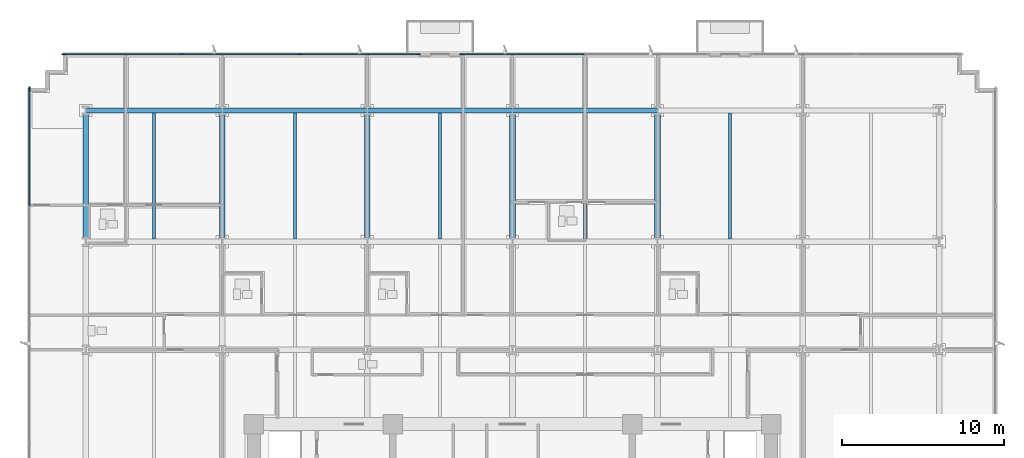
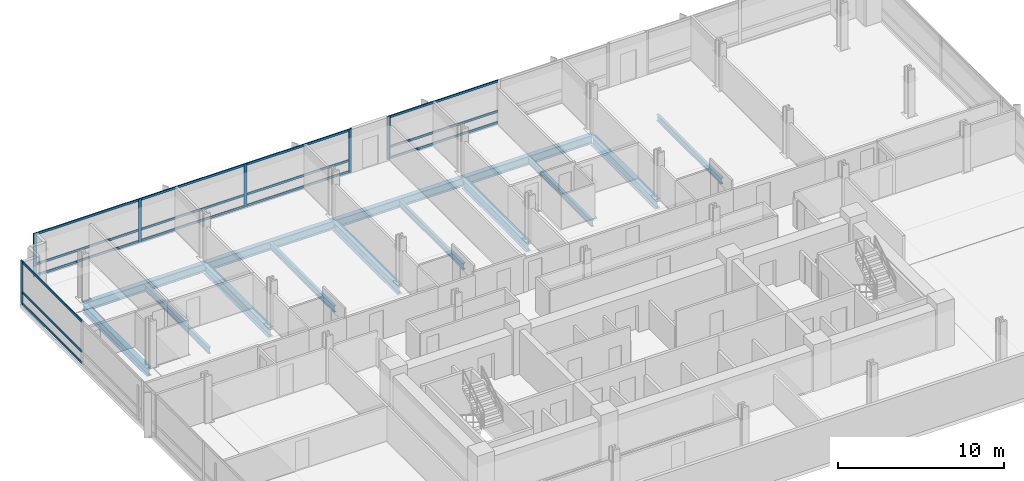
# One storey, part 5 of 15: 21 members, 14 beams, 3 elements without a shape of their own.
"""IFC4 building model written with IfcOpenShell, lengths in metres."""

from ifc_helpers import new_model, si_unit, direction, frame, origin, origin_2d, place, context, subcontext, project, spatial, rectangle, i_section, extrude, material, material_profile, profile_set, type_object, element, aggregate, save


model = new_model("IFC4")

# Units and contexts
model_context = context("Model", 3, precision=1e-05, world=origin(), true_north=direction((0.0, 1.0)))
body_context = subcontext(model_context, "Body", "Model", "MODEL_VIEW")
ifc_project = project(units=[si_unit("LENGTHUNIT", "METRE"), si_unit("AREAUNIT", "SQUARE_METRE"), si_unit("VOLUMEUNIT", "CUBIC_METRE"), si_unit("PLANEANGLEUNIT", "RADIAN"), si_unit("MASSUNIT", "GRAM", prefix="KILO")], contexts=[model_context])

# Site, building, storey
site_placement = place(None, origin())
site = spatial("IfcSite", under=ifc_project, at=site_placement, CompositionType="ELEMENT")
building_placement = place(site_placement, origin())
building = spatial("IfcBuilding", under=site, at=building_placement, Name="Solmavex Isthmus Hotel", CompositionType="ELEMENT")
storey_placement = place(building_placement, frame((0.0, 0.0, 33.300048828125)))
storey = spatial("IfcBuildingStorey", under=building, at=storey_placement, Name="L08", CompositionType="ELEMENT", Elevation=33.300048828125)

# Beams
ifc_material_1 = material(Name="Steel ASTM A992 Grade 50", Category="steel")
ifc_material_profile_1 = material_profile(ifc_material_1, i_section(OverallWidth=0.354736328125, OverallDepth=0.695556640625, WebThickness=0.015380859375, FlangeThickness=0.02490234375, FilletRadius=0.017822265625, at=origin_2d()), Name="W27X146")
ifc_profile_set_1 = profile_set([ifc_material_profile_1], Name="Steel ASTM A992 Grade 50")
beam_type_1 = type_object("IfcBeamType", Name="BM-BG-W27X146", PredefinedType="BEAM", material=ifc_profile_set_1)
for number, where, z_axis, x_axis, name in (
    (1, (-17.951904296875, 8.96533203125, -0.60791015625), (0.0, 1.0, 0.0), (-1.0, 0.0, 0.0), "Floor Beam L08-VG30"),
    (2, (-8.97607421875, 8.96533203125, -0.60791015625), (0.0, 1.0, 0.0), (-1.0, 0.0, 0.0), "Floor Beam L08-VG34"),
    (3, (0.0, 8.96533203125, -0.60791015625), (0.0, 1.0, 0.0), (-1.0, 0.0, 0.0), "Floor Beam L08-VG38"),
    (4, (8.97607421875, 8.96533203125, -0.60791015625), (0.0, 1.0, 0.0), (-1.0, 0.0, 0.0), "Floor Beam L08-VG42"),
):
    element("IfcBeam", number, at=place(storey_placement, frame(where, z_axis=z_axis, x_axis=x_axis)), inside=storey, type_object=beam_type_1, Name=name, PredefinedType="BEAM", context=body_context, shape_type="SweptSolid", body=[
        extrude(i_section(OverallWidth=0.354736328125, OverallDepth=0.695556640625, WebThickness=0.015380859375, FlangeThickness=0.02490234375, FilletRadius=0.017822265625, at=origin_2d()), origin(), (0.0, 0.0, 1.0), 7.771484375),
    ])
ifc_material_profile_2 = material_profile(ifc_material_1, i_section(OverallWidth=0.1904296875, OverallDepth=0.456787109375, WebThickness=0.009033203125, FlangeThickness=0.014404296875, FilletRadius=0.0126953125, at=origin_2d()), Name="W18X50")
ifc_profile_set_2 = profile_set([ifc_material_profile_2], Name="Steel ASTM A992 Grade 50")
beam_type_2 = type_object("IfcBeamType", Name="BM-BJ-W18X50", PredefinedType="JOIST", material=ifc_profile_set_2)
for number, where, z_axis, x_axis, name in (
    (5, (-22.176025390625, 8.96533203125, -0.488525390625), (0.0, 1.0, 0.0), (-1.0, 0.0, 0.0), "Secondary Floor Joist L08-J03"),
    (6, (-13.464111328125, 8.96533203125, -0.488525390625), (0.0, 1.0, 0.0), (-1.0, 0.0, 0.0), "Secondary Floor Joist L08-J07"),
    (7, (-4.488037109375, 8.96533203125, -0.488525390625), (0.0, 1.0, 0.0), (-1.0, 0.0, 0.0), "Secondary Floor Joist L08-J11"),
    (8, (4.488037109375, 8.96533203125, -0.488525390625), (0.0, 1.0, 0.0), (-1.0, 0.0, 0.0), "Secondary Floor Joist L08-J15"),
    (9, (13.464111328125, 8.96533203125, -0.488525390625), (0.0, 1.0, 0.0), (-1.0, 0.0, 0.0), "Secondary Floor Joist L08-J19"),
):
    element("IfcBeam", number, at=place(storey_placement, frame(where, z_axis=z_axis, x_axis=x_axis)), inside=storey, type_object=beam_type_2, Name=name, PredefinedType="JOIST", context=body_context, shape_type="SweptSolid", body=[
        extrude(i_section(OverallWidth=0.1904296875, OverallDepth=0.456787109375, WebThickness=0.009033203125, FlangeThickness=0.014404296875, FilletRadius=0.0126953125, at=origin_2d()), origin(), (0.0, 0.0, 1.0), 7.771484375),
    ])
ifc_material_profile_3 = material_profile(ifc_material_1, i_section(OverallWidth=0.326416015625, OverallDepth=0.621826171875, WebThickness=0.015380859375, FlangeThickness=0.0244140625, FilletRadius=0.01513671875, at=origin_2d()), Name="W24X131")
ifc_profile_set_3 = profile_set([ifc_material_profile_3], Name="Steel ASTM A992 Grade 50")
beam_type_3 = type_object("IfcBeamType", Name="BM-SP-W24X131", PredefinedType="SPANDREL", material=ifc_profile_set_3)
beam_1_placement = place(storey_placement, frame((-26.39990234375, 16.89990234375, -0.571044921875), z_axis=(1.0, 0.0, 0.0), x_axis=(0.0, 1.0, 0.0)))
element("IfcBeam", 10, at=beam_1_placement, inside=storey, type_object=beam_type_3, Name="Floor Girder L08-UG19", PredefinedType="SPANDREL", context=body_context, shape_type="SweptSolid", body=[
    extrude(i_section(OverallWidth=0.326416015625, OverallDepth=0.621826171875, WebThickness=0.015380859375, FlangeThickness=0.0244140625, FilletRadius=0.01513671875, at=origin_2d()), origin(), (0.0, 0.0, 1.0), 8.447998046875),
])
beam_2_placement = place(storey_placement, frame((-17.951904296875, 16.89990234375, -0.571044921875), z_axis=(1.0, 0.0, 0.0), x_axis=(0.0, 1.0, 0.0)))
element("IfcBeam", 11, at=beam_2_placement, inside=storey, type_object=beam_type_3, Name="Floor Girder L08-UG20", PredefinedType="SPANDREL", context=body_context, shape_type="SweptSolid", body=[
    extrude(i_section(OverallWidth=0.326416015625, OverallDepth=0.621826171875, WebThickness=0.015380859375, FlangeThickness=0.0244140625, FilletRadius=0.01513671875, at=origin_2d()), origin(), (0.0, 0.0, 1.0), 8.975830078125),
])
for number, where, z_axis, x_axis, name in (
    (12, (-8.97607421875, 16.89990234375, -0.571044921875), (1.0, 0.0, 0.0), (0.0, 1.0, 0.0), "Floor Girder L08-UG21"),
    (13, (0.0, 16.89990234375, -0.571044921875), (1.0, 0.0, 0.0), (0.0, 1.0, 0.0), "Floor Girder L08-UG22"),
):
    element("IfcBeam", number, at=place(storey_placement, frame(where, z_axis=z_axis, x_axis=x_axis)), inside=storey, type_object=beam_type_3, Name=name, PredefinedType="SPANDREL", context=body_context, shape_type="SweptSolid", body=[
        extrude(i_section(OverallWidth=0.326416015625, OverallDepth=0.621826171875, WebThickness=0.015380859375, FlangeThickness=0.0244140625, FilletRadius=0.01513671875, at=origin_2d()), origin(), (0.0, 0.0, 1.0), 8.97607421875),
    ])
beam_3_placement = place(storey_placement, frame((-26.39990234375, 8.96533203125, -0.571044921875), z_axis=(0.0, 1.0, 0.0), x_axis=(-1.0, 0.0, 0.0)))
element("IfcBeam", 14, at=beam_3_placement, inside=storey, type_object=beam_type_3, Name="Floor Beam L08-VG27", PredefinedType="SPANDREL", context=body_context, shape_type="SweptSolid", body=[
    extrude(i_section(OverallWidth=0.326416015625, OverallDepth=0.621826171875, WebThickness=0.015380859375, FlangeThickness=0.0244140625, FilletRadius=0.01513671875, at=origin_2d()), origin(), (0.0, 0.0, 1.0), 7.771484375),
])

# Curtain wall, members
ifc_material_2 = material(Name="Aluminium alloy 6063-T6", Category="aluminium")
curtain_wall_type = type_object("IfcCurtainWallType", Name="CW-SYS-02", PredefinedType="NOTDEFINED", material=ifc_material_2)
curtain_wall_1_placement = place(storey_placement, origin())
curtain_wall_1 = element("IfcCurtainWall", 15, at=curtain_wall_1_placement, inside=storey, type_object=curtain_wall_type, Name="Stick Curtain Wall CWL-L08-N1", PredefinedType="NOTDEFINED")
ifc_material_profile_4 = material_profile(ifc_material_2, rectangle(XDim=0.074951171875, YDim=0.219970703125, at=origin_2d()), Name="CWM-75X220")
ifc_profile_set_4 = profile_set([ifc_material_profile_4], Name="Aluminium alloy 6063-T6")
member_type_1 = type_object("IfcMemberType", Name="CW-SYS-02-MUL", PredefinedType="MULLION", material=ifc_profile_set_4)
member_1_placement = place(storey_placement, frame((-27.762451171875, 20.3798828125, 0.0), z_axis=(0.0, 0.0, 1.0), x_axis=(0.0, 1.0, 0.0)))
member_1 = element("IfcMember", 16, at=member_1_placement, type_object=member_type_1, Name="CW-02 mullion 1", PredefinedType="MULLION", context=body_context, shape_type="SweptSolid", body=[
    extrude(rectangle(XDim=0.074951171875, YDim=0.219970703125, at=origin_2d()), origin(), (0.0, 0.0, 1.0), 3.18994140625),
])
member_2_placement = place(storey_placement, frame((-20.462646484375, 20.3798828125, 0.0), z_axis=(0.0, 0.0, 1.0), x_axis=(0.0, 1.0, 0.0)))
member_2 = element("IfcMember", 17, at=member_2_placement, type_object=member_type_1, Name="CW-02 mullion 2", PredefinedType="MULLION", context=body_context, shape_type="SweptSolid", body=[
    extrude(rectangle(XDim=0.074951171875, YDim=0.219970703125, at=origin_2d()), origin(), (0.0, 0.0, 1.0), 3.18994140625),
])
member_3_placement = place(storey_placement, frame((-13.125244140625, 20.3798828125, 0.0), z_axis=(0.0, 0.0, 1.0), x_axis=(0.0, 1.0, 0.0)))
member_3 = element("IfcMember", 18, at=member_3_placement, type_object=member_type_1, Name="CW-02 mullion 3", PredefinedType="MULLION", context=body_context, shape_type="SweptSolid", body=[
    extrude(rectangle(XDim=0.074951171875, YDim=0.219970703125, at=origin_2d()), origin(), (0.0, 0.0, 1.0), 3.18994140625),
])
member_4_placement = place(storey_placement, frame((-5.825439453125, 20.3798828125, 0.0), z_axis=(0.0, 0.0, 1.0), x_axis=(0.0, 1.0, 0.0)))
member_4 = element("IfcMember", 19, at=member_4_placement, type_object=member_type_1, Name="CW-02 mullion 4", PredefinedType="MULLION", context=body_context, shape_type="SweptSolid", body=[
    extrude(rectangle(XDim=0.074951171875, YDim=0.219970703125, at=origin_2d()), origin(), (0.0, 0.0, 1.0), 3.18994140625),
])

# Curtain wall, member
curtain_wall_2_placement = place(storey_placement, origin())
curtain_wall_2 = element("IfcCurtainWall", 20, at=curtain_wall_2_placement, inside=storey, type_object=curtain_wall_type, Name="Stick Curtain Wall CWL-L08-N2", PredefinedType="NOTDEFINED")
member_5_placement = place(storey_placement, frame((-3.150390625, 20.3798828125, 0.0), z_axis=(0.0, 0.0, 1.0), x_axis=(0.0, 1.0, 0.0)))
member_5 = element("IfcMember", 21, at=member_5_placement, type_object=member_type_1, Name="CW-02 mullion 1", PredefinedType="MULLION", context=body_context, shape_type="SweptSolid", body=[
    extrude(rectangle(XDim=0.074951171875, YDim=0.219970703125, at=origin_2d()), origin(), (0.0, 0.0, 1.0), 3.18994140625),
])

curtain_wall_3_placement = place(storey_placement, origin())
curtain_wall_3 = element("IfcCurtainWall", 22, at=curtain_wall_3_placement, inside=storey, type_object=curtain_wall_type, Name="Stick Curtain Wall CWL-L08-W1", PredefinedType="NOTDEFINED")
member_6_placement = place(storey_placement, frame((-29.8798828125, 18.262451171875, 0.0), z_axis=(0.0, 0.0, 1.0), x_axis=(-1.0, 0.0, 0.0)))
member_6 = element("IfcMember", 23, at=member_6_placement, type_object=member_type_1, Name="CW-02 mullion 6", PredefinedType="MULLION", context=body_context, shape_type="SweptSolid", body=[
    extrude(rectangle(XDim=0.074951171875, YDim=0.219970703125, at=origin_2d()), origin(), (0.0, 0.0, 1.0), 3.18994140625),
])

# Member
ifc_material_profile_5 = material_profile(ifc_material_2, rectangle(XDim=0.074951171875, YDim=0.159912109375, at=origin_2d()), Name="CWT-75X160")
ifc_profile_set_5 = profile_set([ifc_material_profile_5], Name="Aluminium alloy 6063-T6")
member_type_2 = type_object("IfcMemberType", Name="CW-SYS-02-TRN", PredefinedType="USERDEFINED", material=ifc_profile_set_5)
member_7_placement = place(storey_placement, frame((-27.72509765625, 20.3798828125, 0.079833984375), z_axis=(1.0, 0.0, 0.0), x_axis=(0.0, 1.0, 0.0)))
member_7 = element("IfcMember", 24, at=member_7_placement, type_object=member_type_2, Name="CW-02 transom 1.1", ObjectType="TRANSOM", PredefinedType="USERDEFINED", context=body_context, shape_type="SweptSolid", body=[
    extrude(rectangle(XDim=0.074951171875, YDim=0.159912109375, at=origin_2d()), origin(), (0.0, 0.0, 1.0), 7.224853515625),
])

member_8_placement = place(storey_placement, frame((-27.72509765625, 20.3798828125, 0.89990234375), z_axis=(1.0, 0.0, 0.0), x_axis=(0.0, 1.0, 0.0)))
member_8 = element("IfcMember", 25, at=member_8_placement, type_object=member_type_2, Name="CW-02 transom 1.2", ObjectType="TRANSOM", PredefinedType="USERDEFINED", context=body_context, shape_type="SweptSolid", body=[
    extrude(rectangle(XDim=0.074951171875, YDim=0.159912109375, at=origin_2d()), origin(), (0.0, 0.0, 1.0), 7.224853515625),
])

member_9_placement = place(storey_placement, frame((-27.72509765625, 20.3798828125, 3.10986328125), z_axis=(1.0, 0.0, 0.0), x_axis=(0.0, 1.0, 0.0)))
member_9 = element("IfcMember", 26, at=member_9_placement, type_object=member_type_2, Name="CW-02 transom 1.3", ObjectType="TRANSOM", PredefinedType="USERDEFINED", context=body_context, shape_type="SweptSolid", body=[
    extrude(rectangle(XDim=0.074951171875, YDim=0.159912109375, at=origin_2d()), origin(), (0.0, 0.0, 1.0), 7.224853515625),
])

member_10_placement = place(storey_placement, frame((-20.425048828125, 20.3798828125, 0.079833984375), z_axis=(1.0, 0.0, 0.0), x_axis=(0.0, 1.0, 0.0)))
member_10 = element("IfcMember", 27, at=member_10_placement, type_object=member_type_2, Name="CW-02 transom 2.1", ObjectType="TRANSOM", PredefinedType="USERDEFINED", context=body_context, shape_type="SweptSolid", body=[
    extrude(rectangle(XDim=0.074951171875, YDim=0.159912109375, at=origin_2d()), origin(), (0.0, 0.0, 1.0), 7.26220703125),
])

member_11_placement = place(storey_placement, frame((-20.425048828125, 20.3798828125, 0.89990234375), z_axis=(1.0, 0.0, 0.0), x_axis=(0.0, 1.0, 0.0)))
member_11 = element("IfcMember", 28, at=member_11_placement, type_object=member_type_2, Name="CW-02 transom 2.2", ObjectType="TRANSOM", PredefinedType="USERDEFINED", context=body_context, shape_type="SweptSolid", body=[
    extrude(rectangle(XDim=0.074951171875, YDim=0.159912109375, at=origin_2d()), origin(), (0.0, 0.0, 1.0), 7.26220703125),
])

member_12_placement = place(storey_placement, frame((-20.425048828125, 20.3798828125, 3.10986328125), z_axis=(1.0, 0.0, 0.0), x_axis=(0.0, 1.0, 0.0)))
member_12 = element("IfcMember", 29, at=member_12_placement, type_object=member_type_2, Name="CW-02 transom 2.3", ObjectType="TRANSOM", PredefinedType="USERDEFINED", context=body_context, shape_type="SweptSolid", body=[
    extrude(rectangle(XDim=0.074951171875, YDim=0.159912109375, at=origin_2d()), origin(), (0.0, 0.0, 1.0), 7.26220703125),
])

member_13_placement = place(storey_placement, frame((-13.087890625, 20.3798828125, 0.079833984375), z_axis=(1.0, 0.0, 0.0), x_axis=(0.0, 1.0, 0.0)))
member_13 = element("IfcMember", 30, at=member_13_placement, type_object=member_type_2, Name="CW-02 transom 3.1", ObjectType="TRANSOM", PredefinedType="USERDEFINED", context=body_context, shape_type="SweptSolid", body=[
    extrude(rectangle(XDim=0.074951171875, YDim=0.159912109375, at=origin_2d()), origin(), (0.0, 0.0, 1.0), 7.224853515625),
])

member_14_placement = place(storey_placement, frame((-13.087890625, 20.3798828125, 0.89990234375), z_axis=(1.0, 0.0, 0.0), x_axis=(0.0, 1.0, 0.0)))
member_14 = element("IfcMember", 31, at=member_14_placement, type_object=member_type_2, Name="CW-02 transom 3.2", ObjectType="TRANSOM", PredefinedType="USERDEFINED", context=body_context, shape_type="SweptSolid", body=[
    extrude(rectangle(XDim=0.074951171875, YDim=0.159912109375, at=origin_2d()), origin(), (0.0, 0.0, 1.0), 7.224853515625),
])

member_15_placement = place(storey_placement, frame((-13.087890625, 20.3798828125, 3.10986328125), z_axis=(1.0, 0.0, 0.0), x_axis=(0.0, 1.0, 0.0)))
member_15 = element("IfcMember", 32, at=member_15_placement, type_object=member_type_2, Name="CW-02 transom 3.3", ObjectType="TRANSOM", PredefinedType="USERDEFINED", context=body_context, shape_type="SweptSolid", body=[
    extrude(rectangle(XDim=0.074951171875, YDim=0.159912109375, at=origin_2d()), origin(), (0.0, 0.0, 1.0), 7.224853515625),
])

aggregate(curtain_wall_1, [member_1, member_2, member_3, member_4, member_7, member_8, member_9, member_10, member_11, member_12, member_13, member_14, member_15])

member_16_placement = place(storey_placement, frame((-3.113037109375, 20.3798828125, 0.079833984375), z_axis=(1.0, 0.0, 0.0), x_axis=(0.0, 1.0, 0.0)))
member_16 = element("IfcMember", 33, at=member_16_placement, type_object=member_type_2, Name="CW-02 transom 1.1", ObjectType="TRANSOM", PredefinedType="USERDEFINED", context=body_context, shape_type="SweptSolid", body=[
    extrude(rectangle(XDim=0.074951171875, YDim=0.159912109375, at=origin_2d()), origin(), (0.0, 0.0, 1.0), 7.5634765625),
])

member_17_placement = place(storey_placement, frame((-3.113037109375, 20.3798828125, 0.89990234375), z_axis=(1.0, 0.0, 0.0), x_axis=(0.0, 1.0, 0.0)))
member_17 = element("IfcMember", 34, at=member_17_placement, type_object=member_type_2, Name="CW-02 transom 1.2", ObjectType="TRANSOM", PredefinedType="USERDEFINED", context=body_context, shape_type="SweptSolid", body=[
    extrude(rectangle(XDim=0.074951171875, YDim=0.159912109375, at=origin_2d()), origin(), (0.0, 0.0, 1.0), 7.5634765625),
])

member_18_placement = place(storey_placement, frame((-3.113037109375, 20.3798828125, 3.10986328125), z_axis=(1.0, 0.0, 0.0), x_axis=(0.0, 1.0, 0.0)))
member_18 = element("IfcMember", 35, at=member_18_placement, type_object=member_type_2, Name="CW-02 transom 1.3", ObjectType="TRANSOM", PredefinedType="USERDEFINED", context=body_context, shape_type="SweptSolid", body=[
    extrude(rectangle(XDim=0.074951171875, YDim=0.159912109375, at=origin_2d()), origin(), (0.0, 0.0, 1.0), 7.5634765625),
])

aggregate(curtain_wall_2, [member_5, member_16, member_17, member_18])

member_19_placement = place(storey_placement, frame((-29.8798828125, 11.017578125, 0.079833984375), z_axis=(0.0, 1.0, 0.0), x_axis=(-1.0, 0.0, 0.0)))
member_19 = element("IfcMember", 36, at=member_19_placement, type_object=member_type_2, Name="CW-02 transom 5.1", ObjectType="TRANSOM", PredefinedType="USERDEFINED", context=body_context, shape_type="SweptSolid", body=[
    extrude(rectangle(XDim=0.074951171875, YDim=0.159912109375, at=origin_2d()), origin(), (0.0, 0.0, 1.0), 7.20751953125),
])

member_20_placement = place(storey_placement, frame((-29.8798828125, 11.017578125, 0.89990234375), z_axis=(0.0, 1.0, 0.0), x_axis=(-1.0, 0.0, 0.0)))
member_20 = element("IfcMember", 37, at=member_20_placement, type_object=member_type_2, Name="CW-02 transom 5.2", ObjectType="TRANSOM", PredefinedType="USERDEFINED", context=body_context, shape_type="SweptSolid", body=[
    extrude(rectangle(XDim=0.074951171875, YDim=0.159912109375, at=origin_2d()), origin(), (0.0, 0.0, 1.0), 7.20751953125),
])

member_21_placement = place(storey_placement, frame((-29.8798828125, 11.017578125, 3.10986328125), z_axis=(0.0, 1.0, 0.0), x_axis=(-1.0, 0.0, 0.0)))
member_21 = element("IfcMember", 38, at=member_21_placement, type_object=member_type_2, Name="CW-02 transom 5.3", ObjectType="TRANSOM", PredefinedType="USERDEFINED", context=body_context, shape_type="SweptSolid", body=[
    extrude(rectangle(XDim=0.074951171875, YDim=0.159912109375, at=origin_2d()), origin(), (0.0, 0.0, 1.0), 7.20751953125),
])

aggregate(curtain_wall_3, [member_6, member_19, member_20, member_21])

save(model, "model.ifc")
